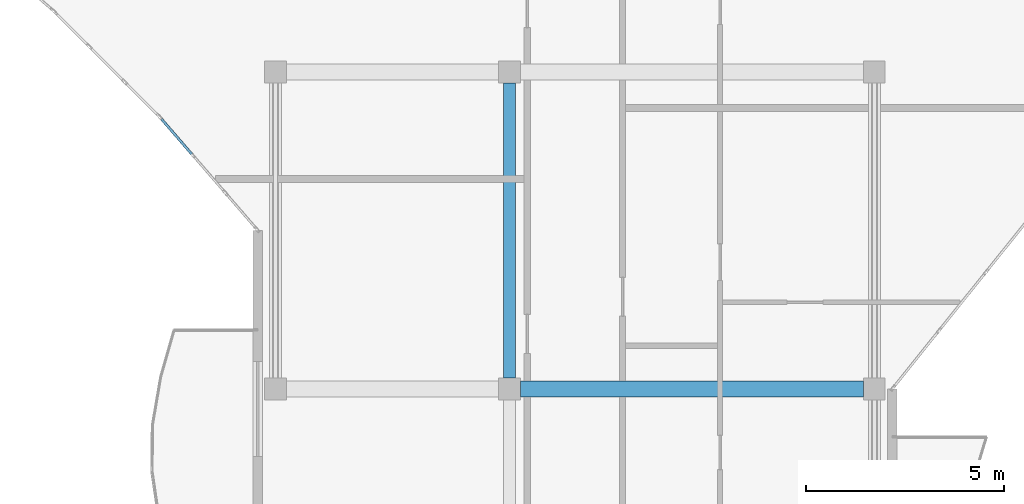
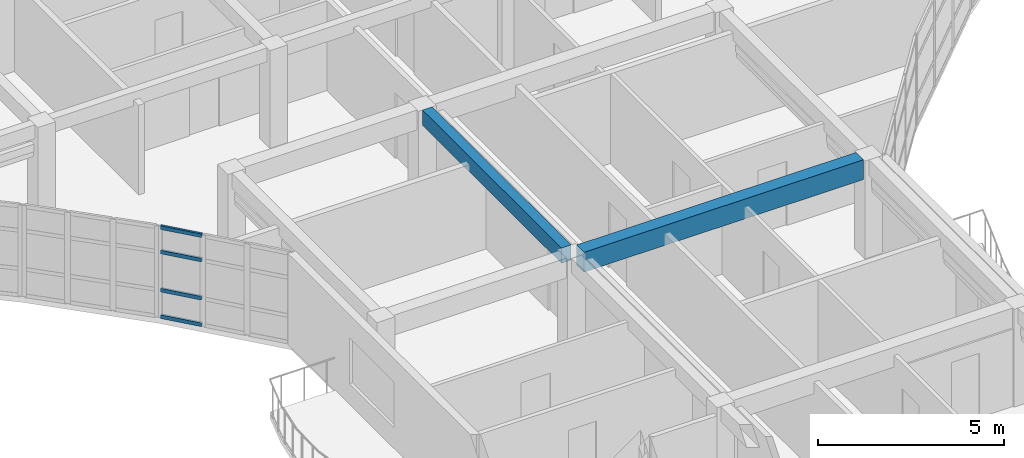
# One storey, part 12 of 68: 4 members, 2 beams, 1 element without a shape of its own.
"""IFC4 building model written with IfcOpenShell, lengths in metres."""

import ifcopenshell
import ifcopenshell.guid

model = None  # the IFC model being written
_history = None  # IfcOwnerHistory: only IFC2X3 demands one
_inside = {}  # id of a spatial element -> (the spatial element, [elements in it])
_under = {}  # id of a project, library or spatial element -> (it, [spatial elements below it])
_declared = {}  # id of a project -> (the project, [libraries it declares])
_typed = {}  # id of a type object -> (the type object, [elements of that type])
_made_of = {}  # id of a material, layer set ... -> (it, [elements and type objects made of it])


def new_model(schema):
    """Start an empty IFC model of exactly this schema.

    Asked for "IFC4X3", IfcOpenShell would pick the latest addendum, in which some entities
    have other attributes; the version numbers below select the first issue.
    IFC2X3 requires an IfcOwnerHistory on every rooted entity: one is made here for all.
    """
    global model, _history
    if schema == "IFC4X3":
        model = ifcopenshell.file(schema_version=(4, 3, 0, 0))
    else:
        model = ifcopenshell.file(schema=schema)
    _inside.clear()
    _under.clear()
    _declared.clear()
    _typed.clear()
    _made_of.clear()
    _history = None
    if model.schema == "IFC2X3":
        org = make("IfcOrganization", Name="unknown")
        user = make(
            "IfcPersonAndOrganization",
            ThePerson=make("IfcPerson", FamilyName="unknown"),
            TheOrganization=org,
        )
        app = make(
            "IfcApplication",
            ApplicationDeveloper=org,
            Version="unknown",
            ApplicationFullName="unknown",
            ApplicationIdentifier="unknown",
        )
        _history = make(
            "IfcOwnerHistory",
            OwningUser=user,
            OwningApplication=app,
            ChangeAction="ADDED",
            CreationDate=0,
        )
    return model


def make(cls, **values):
    """One entity of the class cls with the attributes given. An attribute that is None is left unset."""
    return model.create_entity(
        cls, **{name: value for name, value in values.items() if value is not None}
    )


def rooted(cls, **values):
    """An entity with a GlobalId (a new one), such as an element, a storey or a relation."""
    return make(cls, GlobalId=ifcopenshell.guid.new(), OwnerHistory=_history, **values)


def si_unit(unit_type, name, prefix=None):
    """IfcSIUnit, for example si_unit("LENGTHUNIT", "METRE", prefix="MILLI")."""
    return make("IfcSIUnit", UnitType=unit_type, Prefix=prefix, Name=name)


def assignment(units):
    """IfcUnitAssignment: the units of a project."""
    return None if units is None else make("IfcUnitAssignment", Units=units)


def point(xyz):
    """IfcCartesianPoint."""
    return None if xyz is None else make("IfcCartesianPoint", Coordinates=xyz)


def direction(xyz):
    """IfcDirection."""
    return None if xyz is None else make("IfcDirection", DirectionRatios=xyz)


def frame(location, z_axis=None, x_axis=None):
    """IfcAxis2Placement3D, a coordinate frame: its origin and axes. An axis left out is left unset."""
    return make(
        "IfcAxis2Placement3D",
        Location=point(location),
        Axis=direction(z_axis),
        RefDirection=direction(x_axis),
    )


def frame_2d(location, x_axis=None):
    """IfcAxis2Placement2D, a coordinate frame in the plane: its origin and x axis."""
    return make(
        "IfcAxis2Placement2D", Location=point(location), RefDirection=direction(x_axis)
    )


def origin():
    """The frame at (0, 0, 0) with its axes left unset."""
    return frame((0.0, 0.0, 0.0))


def origin_2d():
    """The frame at (0, 0) in the plane with its x axis left unset."""
    return frame_2d((0.0, 0.0))


def place(relative_to, where):
    """IfcLocalPlacement: puts the frame where relative to a parent placement (None: the world)."""
    return make(
        "IfcLocalPlacement", PlacementRelTo=relative_to, RelativePlacement=where
    )


def context(
    kind, dimensions, precision=None, world=None, true_north=None, identifier=None
):
    """IfcGeometricRepresentationContext, for example the 3D "Model" context."""
    return make(
        "IfcGeometricRepresentationContext",
        ContextIdentifier=identifier,
        ContextType=kind,
        CoordinateSpaceDimension=dimensions,
        Precision=precision,
        WorldCoordinateSystem=world,
        TrueNorth=true_north,
    )


def subcontext(parent, identifier, kind, view, scale=None):
    """IfcGeometricRepresentationSubContext, for example "Body" below "Model"."""
    return make(
        "IfcGeometricRepresentationSubContext",
        ContextIdentifier=identifier,
        ContextType=kind,
        ParentContext=parent,
        TargetScale=scale,
        TargetView=view,
    )


def project(units=None, contexts=None):
    """IfcProject with its units and contexts."""
    return rooted(
        "IfcProject",
        Name="project",
        RepresentationContexts=contexts,
        UnitsInContext=assignment(units),
    )


def spatial(cls, under=None, at=None, **own):
    """A site, building, storey or space (cls), placed at a placement, below another one or the project."""
    s = rooted(cls, ObjectPlacement=at, **own)
    if under is not None:
        _under.setdefault(under.id(), (under, []))[1].append(s)
    return s


def profile(cls, at=None, kind="AREA", **sizes):
    """A parametric profile (cls). Its sizes go by their IFC names, for example OverallWidth=200.0."""
    return make(cls, ProfileType=kind, Position=at, **sizes)


def rectangle(**sizes):
    """IfcRectangleProfileDef."""
    return profile("IfcRectangleProfileDef", **sizes)


def hollow_rectangle(**sizes):
    """IfcRectangleHollowProfileDef."""
    return profile("IfcRectangleHollowProfileDef", **sizes)


def extrude(swept, where, along, depth):
    """IfcExtrudedAreaSolid: the profile swept, set in the frame where, extruded along a direction by depth."""
    return make(
        "IfcExtrudedAreaSolid",
        SweptArea=swept,
        Position=where,
        ExtrudedDirection=direction(along),
        Depth=depth,
    )


def shape(context_of_items, identifier, shape_type, items):
    """IfcShapeRepresentation: the items that make up one representation, for example the "Body"."""
    return make(
        "IfcShapeRepresentation",
        ContextOfItems=context_of_items,
        RepresentationIdentifier=identifier,
        RepresentationType=shape_type,
        Items=items,
    )


def material(Name=None, Category=None):
    """IfcMaterial."""
    return make("IfcMaterial", Name=Name, Category=Category)


def layer(
    of_material, thickness, ventilated=None, Name=None, Category=None, Priority=None
):
    """IfcMaterialLayer: one layer of a wall or slab, of a material (None: an air gap)."""
    return make(
        "IfcMaterialLayer",
        Material=of_material,
        LayerThickness=thickness,
        IsVentilated=ventilated,
        Name=Name,
        Category=Category,
        Priority=Priority,
    )


def layer_set(layers, Name=None):
    """IfcMaterialLayerSet."""
    return make("IfcMaterialLayerSet", MaterialLayers=layers, LayerSetName=Name)


def material_profile(
    of_material, cross_section, Name=None, Category=None, Priority=None
):
    """IfcMaterialProfile: a cross section and its material."""
    return make(
        "IfcMaterialProfile",
        Name=Name,
        Material=of_material,
        Profile=cross_section,
        Priority=Priority,
        Category=Category,
    )


def profile_set(profiles, Name=None, composite=None):
    """IfcMaterialProfileSet."""
    return make(
        "IfcMaterialProfileSet",
        Name=Name,
        MaterialProfiles=profiles,
        CompositeProfile=composite,
    )


def made_of(thing, what):
    """Note that an element or type object is made of a material, layer set ...; save() writes the relation."""
    if what is not None:
        _made_of.setdefault(what.id(), (what, []))[1].append(thing)
    return thing


def type_object(cls, material=None, **own):
    """A type object (cls), such as IfcWallType, which elements share."""
    return made_of(rooted(cls, **own), material)


def element(
    cls,
    number,
    at=None,
    inside=None,
    cuts=None,
    type_object=None,
    material=None,
    context=None,
    identifier="Body",
    shape_type=None,
    held_by="IfcProductDefinitionShape",
    body=None,
    shapes=None,
    **own,
):
    """One element of the class cls, such as IfcWall. Its Tag is "e" and its number.

    at: its placement. inside: the storey or other place that contains it. cuts: it is an
    opening in that element (IfcRelVoidsElement). A single representation is given by context,
    identifier, shape_type and body (its items); several are given by shapes. held_by: the class
    of the entity that holds the representations. save() writes the other relations.
    """
    e = rooted(cls, Tag="e%d" % number, ObjectPlacement=at, **own)
    if body is not None:
        shapes = [shape(context, identifier, shape_type, body)]
    if shapes is not None:
        e.Representation = make(held_by, Representations=shapes)
    if inside is not None:
        _inside.setdefault(inside.id(), (inside, []))[1].append(e)
    if cuts is not None:
        rooted(
            "IfcRelVoidsElement", RelatingBuildingElement=cuts, RelatedOpeningElement=e
        )
    if type_object is not None:
        _typed.setdefault(type_object.id(), (type_object, []))[1].append(e)
    return made_of(e, material)


def aggregate(whole, parts):
    """IfcRelAggregates: a whole, such as a stair, and the parts it consists of."""
    return rooted("IfcRelAggregates", RelatingObject=whole, RelatedObjects=parts)


def save(model, path):
    """Write the relations noted so far, then the file.

    IfcRelAggregates (storeys below a building ...), IfcRelContainedInSpatialStructure (elements
    in a storey), IfcRelDefinesByType, IfcRelAssociatesMaterial and IfcRelDeclares: one each for
    every whole, place, type object, material and project.
    """
    for whole, parts in _under.values():
        aggregate(whole, parts)
    for where, things in _inside.values():
        rooted(
            "IfcRelContainedInSpatialStructure",
            RelatedElements=things,
            RelatingStructure=where,
        )
    for kind, things in _typed.values():
        rooted("IfcRelDefinesByType", RelatedObjects=things, RelatingType=kind)
    for what, things in _made_of.values():
        rooted("IfcRelAssociatesMaterial", RelatedObjects=things, RelatingMaterial=what)
    for by, libraries in _declared.values():
        rooted("IfcRelDeclares", RelatingContext=by, RelatedDefinitions=libraries)
    model.write(path)


model = new_model("IFC4")

# Units and contexts
model_context = context("Model", 3, precision=1e-05, world=origin(), true_north=direction((0.0, 1.0)))
body_context = subcontext(model_context, "Body", "Model", "MODEL_VIEW")
ifc_project = project(units=[si_unit("LENGTHUNIT", "METRE"), si_unit("AREAUNIT", "SQUARE_METRE"), si_unit("VOLUMEUNIT", "CUBIC_METRE"), si_unit("PLANEANGLEUNIT", "RADIAN"), si_unit("MASSUNIT", "GRAM", prefix="KILO")], contexts=[model_context])

# Site, building, storey
site_placement = place(None, origin())
site = spatial("IfcSite", under=ifc_project, at=site_placement, CompositionType="ELEMENT")
building_placement = place(site_placement, origin())
building = spatial("IfcBuilding", under=site, at=building_placement, Name="Keldmere Railside Commons", CompositionType="ELEMENT")
storey_placement = place(building_placement, frame((0.0, 0.0, 23.360107421875)))
storey = spatial("IfcBuildingStorey", under=building, at=storey_placement, Name="L07", CompositionType="ELEMENT", Elevation=23.360107421875)

# Beams
ifc_material_1 = material(Name="Concrete H-30 (C30/37)", Category="concrete")
ifc_material_profile_1 = material_profile(ifc_material_1, rectangle(XDim=0.39990234375, YDim=0.64990234375, at=origin_2d()), Name="RC-400x650")
ifc_profile_set_1 = profile_set([ifc_material_profile_1], Name="Concrete H-30 (C30/37)")
beam_type_1 = type_object("IfcBeamType", Name="Residential Spine RC Girder 400x650", PredefinedType="BEAM", material=ifc_profile_set_1)
beam_1_placement = place(storey_placement, frame((110.625, 88.0, 2.875), z_axis=(1.0, 0.0, 0.0), x_axis=(0.0, 1.0, 0.0)))
element("IfcBeam", 1, at=beam_1_placement, inside=storey, type_object=beam_type_1, Name="BG-3 BM-L07-2043", PredefinedType="BEAM", context=body_context, shape_type="SweptSolid", body=[
    extrude(rectangle(XDim=0.39990234375, YDim=0.64990234375, at=origin_2d()), origin(), (0.0, 0.0, 1.0), 8.64990234375),
])
ifc_material_profile_2 = material_profile(ifc_material_1, rectangle(XDim=0.300048828125, YDim=0.5, at=origin_2d()), Name="RC-300x500")
ifc_profile_set_2 = profile_set([ifc_material_profile_2], Name="Concrete H-30 (C30/37)")
beam_type_2 = type_object("IfcBeamType", Name="Secondary Frame RC Beam 300x500", PredefinedType="BEAM", material=ifc_profile_set_2)
beam_2_placement = place(storey_placement, frame((110.35009765625, 88.27490234375, 2.949951171875), z_axis=(0.0, 1.0, 0.0), x_axis=(-1.0, 0.0, 0.0)))
element("IfcBeam", 2, at=beam_2_placement, inside=storey, type_object=beam_type_2, Name="BG-5 BM-L07-2129", PredefinedType="BEAM", context=body_context, shape_type="SweptSolid", body=[
    extrude(rectangle(XDim=0.300048828125, YDim=0.5, at=origin_2d()), origin(), (0.0, 0.0, 1.0), 7.4501953125),
])

# Curtain wall, members
ifc_material_2 = material(Name="Thermally Broken Aluminium", Category="aluminium")
ifc_layer = layer(ifc_material_2, 0.159912109375, Name="Court Chord Wintergarden CW 4800x2850")
ifc_layer_set = layer_set([ifc_layer], Name="Thermally Broken Aluminium")
curtain_wall_type = type_object("IfcCurtainWallType", Name="Court Chord Wintergarden CW 4800x2850", PredefinedType="NOTDEFINED", material=ifc_layer_set)
curtain_wall_placement = place(storey_placement, origin())
curtain_wall = element("IfcCurtainWall", 3, at=curtain_wall_placement, inside=storey, type_object=curtain_wall_type, Name="CW-12 CW-L07-132", PredefinedType="NOTDEFINED")
ifc_material_profile_3 = material_profile(ifc_material_2, hollow_rectangle(XDim=0.06494140625, YDim=0.1201171875, WallThickness=0.00390625, at=origin_2d()), Name="ALU-TRAN-65x120")
ifc_profile_set_3 = profile_set([ifc_material_profile_3], Name="Thermally Broken Aluminium")
member_type = type_object("IfcMemberType", Name="Unitised Curtain Wall Transom 65x120", PredefinedType="USERDEFINED", material=ifc_profile_set_3)
member_1_placement = place(storey_placement, frame((102.33203125, 93.929931640625, 0.032470703125), z_axis=(-0.653849663033, 0.756624489527, 0.0), x_axis=(-0.756624489527, -0.653849663033, 0.0)))
member_1 = element("IfcMember", 4, at=member_1_placement, type_object=member_type, Name="CW-12 transom 3.1", ObjectType="TRANSOM", PredefinedType="USERDEFINED", context=body_context, shape_type="SweptSolid", body=[
    extrude(hollow_rectangle(XDim=0.06494140625, YDim=0.1201171875, WallThickness=0.00390625, at=origin_2d()), origin(), (0.0, 0.0, 1.0), 1.16162109375),
])
member_2_placement = place(storey_placement, frame((102.33203125, 93.929931640625, 0.89990234375), z_axis=(-0.653849663033, 0.756624489527, 0.0), x_axis=(-0.756624489527, -0.653849663033, 0.0)))
member_2 = element("IfcMember", 5, at=member_2_placement, type_object=member_type, Name="CW-12 transom 3.2", ObjectType="TRANSOM", PredefinedType="USERDEFINED", context=body_context, shape_type="SweptSolid", body=[
    extrude(hollow_rectangle(XDim=0.06494140625, YDim=0.1201171875, WallThickness=0.00390625, at=origin_2d()), origin(), (0.0, 0.0, 1.0), 1.16162109375),
])
member_3_placement = place(storey_placement, frame((102.33203125, 93.929931640625, 2.14990234375), z_axis=(-0.653849663033, 0.756624489527, 0.0), x_axis=(-0.756624489527, -0.653849663033, 0.0)))
member_3 = element("IfcMember", 6, at=member_3_placement, type_object=member_type, Name="CW-12 transom 3.3", ObjectType="TRANSOM", PredefinedType="USERDEFINED", context=body_context, shape_type="SweptSolid", body=[
    extrude(hollow_rectangle(XDim=0.06494140625, YDim=0.1201171875, WallThickness=0.00390625, at=origin_2d()), origin(), (0.0, 0.0, 1.0), 1.16162109375),
])
member_4_placement = place(storey_placement, frame((102.33203125, 93.929931640625, 2.947509765625), z_axis=(-0.653849663033, 0.756624489527, 0.0), x_axis=(-0.756624489527, -0.653849663033, 0.0)))
member_4 = element("IfcMember", 7, at=member_4_placement, type_object=member_type, Name="CW-12 transom 3.4", ObjectType="TRANSOM", PredefinedType="USERDEFINED", context=body_context, shape_type="SweptSolid", body=[
    extrude(hollow_rectangle(XDim=0.06494140625, YDim=0.1201171875, WallThickness=0.00390625, at=origin_2d()), origin(), (0.0, 0.0, 1.0), 1.16162109375),
])
aggregate(curtain_wall, [member_1, member_2, member_3, member_4])

save(model, "model.ifc")
